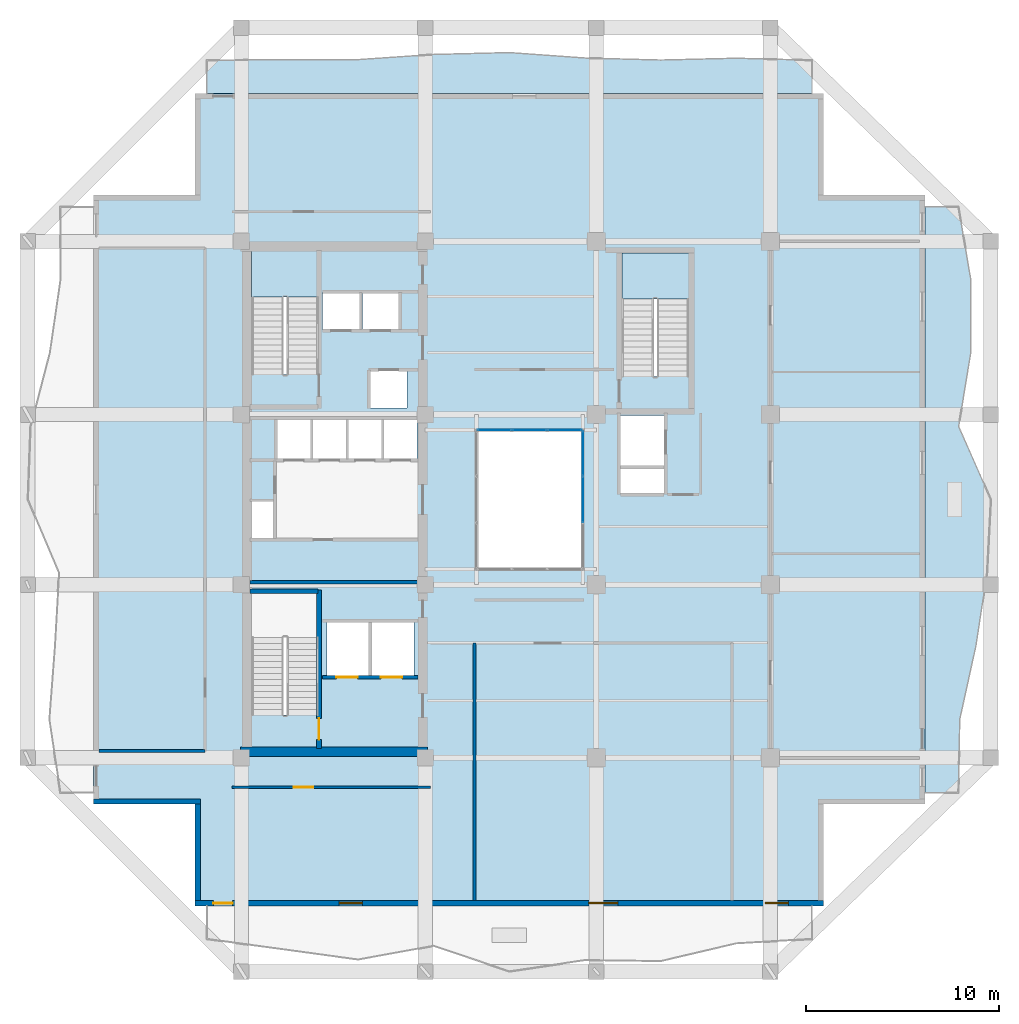
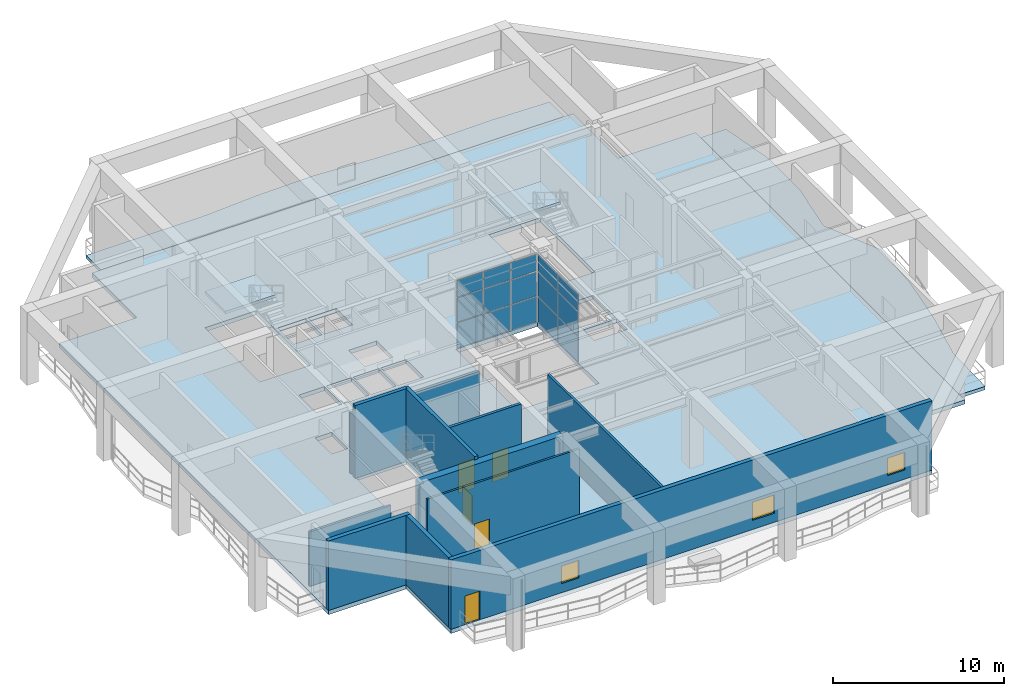
# One storey, part 5 of 13: 15 plates, 11 walls, 5 doors, 5 slabs, 3 windows, 8 openings, 4 elements without a shape of their own.
"""IFC4 building model written with IfcOpenShell, lengths in metres."""

from ifc_helpers import new_model, si_unit, direction, frame, frame_2d, origin, origin_2d, place, context, subcontext, project, spatial, polyline, rectangle, outline, extrude, material, layer, layer_set, type_object, element, fill, aggregate, save


model = new_model("IFC4")

# Units and contexts
model_context = context("Model", 3, precision=1e-05, world=origin(), true_north=direction((0.0, 1.0)))
body_context = subcontext(model_context, "Body", "Model", "MODEL_VIEW")
ifc_project = project(units=[si_unit("LENGTHUNIT", "METRE"), si_unit("AREAUNIT", "SQUARE_METRE"), si_unit("VOLUMEUNIT", "CUBIC_METRE"), si_unit("PLANEANGLEUNIT", "RADIAN"), si_unit("MASSUNIT", "GRAM", prefix="KILO")], contexts=[model_context])

# Site, building, storey
site_placement = place(None, origin())
site = spatial("IfcSite", under=ifc_project, at=site_placement, CompositionType="ELEMENT")
building_placement = place(site_placement, origin())
building = spatial("IfcBuilding", under=site, at=building_placement, Name="Kundavana Baori Tower", CompositionType="ELEMENT")
storey_placement = place(building_placement, frame((0.0, 0.0, 208.89990234375)))
storey = spatial("IfcBuildingStorey", under=building, at=storey_placement, Name="L51", CompositionType="ELEMENT", Elevation=208.89990234375)

# Curtain wall, plates
ifc_material_1 = material(Name="Thermally Broken Anodised Aluminium Framing", Category="aluminium")
ifc_layer_1 = layer(ifc_material_1, 0.219970703125, Name="CW-SYS-5")
ifc_layer_set_1 = layer_set([ifc_layer_1], Name="Thermally Broken Anodised Aluminium Framing")
curtain_wall_type = type_object("IfcCurtainWallType", Name="CW-SYS-5", PredefinedType="NOTDEFINED", material=ifc_layer_set_1)
curtain_wall_1_placement = place(storey_placement, origin())
curtain_wall_1 = element("IfcCurtainWall", 1, at=curtain_wall_1_placement, inside=storey, type_object=curtain_wall_type, Name="L51 Atrium Glazed Curtain Wall E", PredefinedType="NOTDEFINED")
ifc_material_2 = material(Name="Double-Glazed Solar-Control Low-E Insulated Glass", Category="glass")
ifc_layer_2 = layer(ifc_material_2, 0.028076171875, Name="CW-PNL-GLS28")
ifc_layer_set_2 = layer_set([ifc_layer_2], Name="Double-Glazed Solar-Control Low-E Insulated Glass")
plate_type = type_object("IfcPlateType", Name="CW-PNL-GLS28", PredefinedType="CURTAIN_PANEL", material=ifc_layer_set_2)
plate_1_placement = place(storey_placement, frame((33.10009765625, 28.60009765625, 0.06494140625), z_axis=(0.0, 0.0, 1.0), x_axis=(0.0, 1.0, 0.0)))
plate_1 = element("IfcPlate", 2, at=plate_1_placement, type_object=plate_type, Name="CW5 panel 2.1", PredefinedType="CURTAIN_PANEL", context=body_context, shape_type="SweptSolid", body=[
    extrude(rectangle(XDim=2.3349609375, YDim=0.028076171875, at=origin_2d()), origin(), (0.0, 0.0, 1.0), 1.787353515625),
])
plate_2_placement = place(storey_placement, frame((33.10009765625, 28.60009765625, 1.917236328125), z_axis=(0.0, 0.0, 1.0), x_axis=(0.0, 1.0, 0.0)))
plate_2 = element("IfcPlate", 3, at=plate_2_placement, type_object=plate_type, Name="CW5 panel 2.2", PredefinedType="CURTAIN_PANEL", context=body_context, shape_type="SweptSolid", body=[
    extrude(rectangle(XDim=2.3349609375, YDim=0.028076171875, at=origin_2d()), origin(), (0.0, 0.0, 1.0), 1.720703125),
])
plate_3_placement = place(storey_placement, frame((33.10009765625, 28.60009765625, 3.703125), z_axis=(0.0, 0.0, 1.0), x_axis=(0.0, 1.0, 0.0)))
plate_3 = element("IfcPlate", 4, at=plate_3_placement, type_object=plate_type, Name="CW5 panel 2.3", PredefinedType="CURTAIN_PANEL", context=body_context, shape_type="SweptSolid", body=[
    extrude(rectangle(XDim=2.3349609375, YDim=0.028076171875, at=origin_2d()), origin(), (0.0, 0.0, 1.0), 1.192138671875),
])
plate_4_placement = place(storey_placement, frame((33.10009765625, 30.983642578125, 0.06494140625), z_axis=(0.0, 0.0, 1.0), x_axis=(0.0, 1.0, 0.0)))
plate_4 = element("IfcPlate", 5, at=plate_4_placement, type_object=plate_type, Name="CW5 panel 3.1", PredefinedType="CURTAIN_PANEL", context=body_context, shape_type="SweptSolid", body=[
    extrude(rectangle(XDim=2.302490234375, YDim=0.028076171875, at=origin_2d()), origin(), (0.0, 0.0, 1.0), 1.787353515625),
])
plate_5_placement = place(storey_placement, frame((33.10009765625, 30.983642578125, 1.917236328125), z_axis=(0.0, 0.0, 1.0), x_axis=(0.0, 1.0, 0.0)))
plate_5 = element("IfcPlate", 6, at=plate_5_placement, type_object=plate_type, Name="CW5 panel 3.2", PredefinedType="CURTAIN_PANEL", context=body_context, shape_type="SweptSolid", body=[
    extrude(rectangle(XDim=2.302490234375, YDim=0.028076171875, at=origin_2d()), origin(), (0.0, 0.0, 1.0), 1.720703125),
])
plate_6_placement = place(storey_placement, frame((33.10009765625, 30.983642578125, 3.703125), z_axis=(0.0, 0.0, 1.0), x_axis=(0.0, 1.0, 0.0)))
plate_6 = element("IfcPlate", 7, at=plate_6_placement, type_object=plate_type, Name="CW5 panel 3.3", PredefinedType="CURTAIN_PANEL", context=body_context, shape_type="SweptSolid", body=[
    extrude(rectangle(XDim=2.302490234375, YDim=0.028076171875, at=origin_2d()), origin(), (0.0, 0.0, 1.0), 1.192138671875),
])
aggregate(curtain_wall_1, [plate_1, plate_2, plate_3, plate_4, plate_5, plate_6])

curtain_wall_2_placement = place(storey_placement, origin())
curtain_wall_2 = element("IfcCurtainWall", 8, at=curtain_wall_2_placement, inside=storey, type_object=curtain_wall_type, Name="L51 Atrium Glazed Curtain Wall N", PredefinedType="NOTDEFINED")
plate_7_placement = place(storey_placement, frame((32.1669921875, 32.199951171875, 0.06494140625), z_axis=(0.0, 0.0, 1.0), x_axis=(-1.0, 0.0, 0.0)))
plate_7 = element("IfcPlate", 9, at=plate_7_placement, type_object=plate_type, Name="CW5 panel 1.1", PredefinedType="CURTAIN_PANEL", context=body_context, shape_type="SweptSolid", body=[
    extrude(rectangle(XDim=1.73583984375, YDim=0.028076171875, at=origin_2d()), origin(), (0.0, 0.0, 1.0), 1.787353515625),
])
plate_8_placement = place(storey_placement, frame((32.1669921875, 32.199951171875, 1.917236328125), z_axis=(0.0, 0.0, 1.0), x_axis=(-1.0, 0.0, 0.0)))
plate_8 = element("IfcPlate", 10, at=plate_8_placement, type_object=plate_type, Name="CW5 panel 1.2", PredefinedType="CURTAIN_PANEL", context=body_context, shape_type="SweptSolid", body=[
    extrude(rectangle(XDim=1.73583984375, YDim=0.028076171875, at=origin_2d()), origin(), (0.0, 0.0, 1.0), 1.720703125),
])
plate_9_placement = place(storey_placement, frame((32.1669921875, 32.199951171875, 3.703125), z_axis=(0.0, 0.0, 1.0), x_axis=(-1.0, 0.0, 0.0)))
plate_9 = element("IfcPlate", 11, at=plate_9_placement, type_object=plate_type, Name="CW5 panel 1.3", PredefinedType="CURTAIN_PANEL", context=body_context, shape_type="SweptSolid", body=[
    extrude(rectangle(XDim=1.73583984375, YDim=0.028076171875, at=origin_2d()), origin(), (0.0, 0.0, 1.0), 1.192138671875),
])
plate_10_placement = place(storey_placement, frame((30.35009765625, 32.199951171875, 0.06494140625), z_axis=(0.0, 0.0, 1.0), x_axis=(-1.0, 0.0, 0.0)))
plate_10 = element("IfcPlate", 12, at=plate_10_placement, type_object=plate_type, Name="CW5 panel 2.1", PredefinedType="CURTAIN_PANEL", context=body_context, shape_type="SweptSolid", body=[
    extrude(rectangle(XDim=1.768310546875, YDim=0.028076171875, at=origin_2d()), origin(), (0.0, 0.0, 1.0), 1.787353515625),
])
plate_11_placement = place(storey_placement, frame((30.35009765625, 32.199951171875, 1.917236328125), z_axis=(0.0, 0.0, 1.0), x_axis=(-1.0, 0.0, 0.0)))
plate_11 = element("IfcPlate", 13, at=plate_11_placement, type_object=plate_type, Name="CW5 panel 2.2", PredefinedType="CURTAIN_PANEL", context=body_context, shape_type="SweptSolid", body=[
    extrude(rectangle(XDim=1.768310546875, YDim=0.028076171875, at=origin_2d()), origin(), (0.0, 0.0, 1.0), 1.720703125),
])
plate_12_placement = place(storey_placement, frame((30.35009765625, 32.199951171875, 3.703125), z_axis=(0.0, 0.0, 1.0), x_axis=(-1.0, 0.0, 0.0)))
plate_12 = element("IfcPlate", 14, at=plate_12_placement, type_object=plate_type, Name="CW5 panel 2.3", PredefinedType="CURTAIN_PANEL", context=body_context, shape_type="SweptSolid", body=[
    extrude(rectangle(XDim=1.768310546875, YDim=0.028076171875, at=origin_2d()), origin(), (0.0, 0.0, 1.0), 1.192138671875),
])
plate_13_placement = place(storey_placement, frame((28.532958984375, 32.199951171875, 0.06494140625), z_axis=(0.0, 0.0, 1.0), x_axis=(-1.0, 0.0, 0.0)))
plate_13 = element("IfcPlate", 15, at=plate_13_placement, type_object=plate_type, Name="CW5 panel 3.1", PredefinedType="CURTAIN_PANEL", context=body_context, shape_type="SweptSolid", body=[
    extrude(rectangle(XDim=1.73583984375, YDim=0.028076171875, at=origin_2d()), origin(), (0.0, 0.0, 1.0), 1.787353515625),
])
plate_14_placement = place(storey_placement, frame((28.532958984375, 32.199951171875, 1.917236328125), z_axis=(0.0, 0.0, 1.0), x_axis=(-1.0, 0.0, 0.0)))
plate_14 = element("IfcPlate", 16, at=plate_14_placement, type_object=plate_type, Name="CW5 panel 3.2", PredefinedType="CURTAIN_PANEL", context=body_context, shape_type="SweptSolid", body=[
    extrude(rectangle(XDim=1.73583984375, YDim=0.028076171875, at=origin_2d()), origin(), (0.0, 0.0, 1.0), 1.720703125),
])
plate_15_placement = place(storey_placement, frame((28.532958984375, 32.199951171875, 3.703125), z_axis=(0.0, 0.0, 1.0), x_axis=(-1.0, 0.0, 0.0)))
plate_15 = element("IfcPlate", 17, at=plate_15_placement, type_object=plate_type, Name="CW5 panel 3.3", PredefinedType="CURTAIN_PANEL", context=body_context, shape_type="SweptSolid", body=[
    extrude(rectangle(XDim=1.73583984375, YDim=0.028076171875, at=origin_2d()), origin(), (0.0, 0.0, 1.0), 1.192138671875),
])
aggregate(curtain_wall_2, [plate_7, plate_8, plate_9, plate_10, plate_11, plate_12, plate_13, plate_14, plate_15])

# Slab
ifc_material_3 = material(Name="Concrete C40/50", Category="concrete")
ifc_layer_3 = layer(ifc_material_3, 0.300048828125, Name="SLB-FLR-300")
ifc_layer_set_3 = layer_set([ifc_layer_3], Name="Concrete C40/50")
slab_type_1 = type_object("IfcSlabType", Name="SLB-FLR-300", PredefinedType="FLOOR", material=ifc_layer_set_3)
slab_1_placement = place(storey_placement, frame((0.0, 0.0, -0.2998046875)))
element("IfcSlab", 18, at=slab_1_placement, inside=storey, type_object=slab_type_1, Name="L51 Structural Floor Slab", PredefinedType="FLOOR", context=body_context, shape_type="SweptSolid", body=[
    extrude(outline(polyline([(13.050048828125, 7.60009765625), (45.550048828125, 7.60009765625), (45.550048828125, 12.85009765625), (50.800048828125, 12.85009765625), (50.800048828125, 44.35009765625), (45.550048828125, 44.35009765625), (45.550048828125, 49.60009765625), (13.050048828125, 49.60009765625), (13.050048828125, 44.35009765625), (7.800048828125, 44.35009765625), (7.800048828125, 12.85009765625), (13.050048828125, 12.85009765625), (13.050048828125, 7.60009765625)]), holes=[polyline([(19.43994140625, 17.4619140625), (19.43994140625, 23.85009765625), (15.97998046875, 23.85009765625), (15.97998046875, 17.4619140625), (19.43994140625, 17.4619140625)]), polyline([(19.43994140625, 35.06201171875), (19.43994140625, 41.449951171875), (15.97998046875, 41.449951171875), (15.97998046875, 35.06201171875), (19.43994140625, 35.06201171875)]), polyline([(38.580078125, 34.9619140625), (38.580078125, 41.35009765625), (35.1201171875, 41.35009765625), (35.1201171875, 34.9619140625), (38.580078125, 34.9619140625)]), polyline([(17.300048828125, 30.699951171875), (19.02001953125, 30.699951171875), (19.02001953125, 32.75), (17.300048828125, 32.75), (17.300048828125, 30.699951171875)]), polyline([(19.139892578125, 30.699951171875), (20.860107421875, 30.699951171875), (20.860107421875, 32.75), (19.139892578125, 32.75), (19.139892578125, 30.699951171875)]), polyline([(20.97998046875, 30.699951171875), (22.699951171875, 30.699951171875), (22.699951171875, 32.75), (20.97998046875, 32.75), (20.97998046875, 30.699951171875)]), polyline([(22.820068359375, 30.699951171875), (24.5400390625, 30.699951171875), (24.5400390625, 32.75), (22.820068359375, 32.75), (22.820068359375, 30.699951171875)]), polyline([(19.64990234375, 37.39990234375), (21.550048828125, 37.39990234375), (21.550048828125, 39.300048828125), (19.64990234375, 39.300048828125), (19.64990234375, 37.39990234375)]), polyline([(21.699951171875, 37.39990234375), (23.60009765625, 37.39990234375), (23.60009765625, 39.300048828125), (21.699951171875, 39.300048828125), (21.699951171875, 37.39990234375)]), polyline([(22.10009765625, 33.35009765625), (24.0, 33.35009765625), (24.0, 35.25), (22.10009765625, 35.25), (22.10009765625, 33.35009765625)]), polyline([(19.8798828125, 19.5), (22.02001953125, 19.5), (22.02001953125, 22.25), (19.8798828125, 22.25), (19.8798828125, 19.5)]), polyline([(22.179931640625, 19.5), (24.3798828125, 19.5), (24.3798828125, 22.25), (22.179931640625, 22.25), (22.179931640625, 19.5)]), polyline([(35.050048828125, 30.35009765625), (37.300048828125, 30.35009765625), (37.300048828125, 32.949951171875), (35.050048828125, 32.949951171875), (35.050048828125, 30.35009765625)]), polyline([(15.949951171875, 26.60009765625), (17.080078125, 26.60009765625), (17.080078125, 28.5), (15.949951171875, 28.5), (15.949951171875, 26.60009765625)]), polyline([(35.050048828125, 28.949951171875), (37.300048828125, 28.949951171875), (37.300048828125, 30.199951171875), (35.050048828125, 30.199951171875), (35.050048828125, 28.949951171875)]), polyline([(27.60009765625, 25.0), (33.10009765625, 25.0), (33.10009765625, 32.199951171875), (27.60009765625, 32.199951171875), (27.60009765625, 25.0)])]), origin(), (0.0, 0.0, 1.0), 0.2998046875),
])

# Stair, slab
ifc_material_4 = material(Name="Concrete C40/50", Category="concrete")
stair_type = type_object("IfcStairType", Name="STR-DOG-1650", PredefinedType="HALF_TURN_STAIR", material=ifc_material_4)
stair_1_placement = place(storey_placement, origin())
stair_1 = element("IfcStair", 19, at=stair_1_placement, inside=storey, type_object=stair_type, Name="L51 Protected Exit Stair ST2", PredefinedType="HALF_TURN_STAIR")
ifc_material_5 = material(Name="Concrete C40/50", Category="concrete")
ifc_layer_4 = layer(ifc_material_5, 0.199951171875, Name="SLB-LND-200")
ifc_layer_set_4 = layer_set([ifc_layer_4], Name="Concrete C40/50")
slab_type_2 = type_object("IfcSlabType", Name="SLB-LND-200", PredefinedType="LANDING", material=ifc_layer_set_4)
slab_2_placement = place(storey_placement, frame((0.0, 0.0, 2.400146484375)))
slab_2 = element("IfcSlab", 20, at=slab_2_placement, type_object=slab_type_2, Name="ST2 landing 1", PredefinedType="LANDING", context=body_context, shape_type="SweptSolid", body=[
    extrude(outline(polyline([(19.43994140625, 39.080078125), (19.43994140625, 41.449951171875), (15.97998046875, 41.449951171875), (15.97998046875, 39.080078125), (19.43994140625, 39.080078125)])), origin(), (0.0, 0.0, 1.0), 0.199951171875),
])
aggregate(stair_1, [slab_2])

stair_2_placement = place(storey_placement, origin())
stair_2 = element("IfcStair", 21, at=stair_2_placement, inside=storey, type_object=stair_type, Name="L51 Protected Exit Stair ST3", PredefinedType="HALF_TURN_STAIR")
slab_3_placement = place(storey_placement, frame((0.0, 0.0, 2.400146484375)))
slab_3 = element("IfcSlab", 22, at=slab_3_placement, type_object=slab_type_2, Name="ST3 landing 1", PredefinedType="LANDING", context=body_context, shape_type="SweptSolid", body=[
    extrude(outline(polyline([(38.580078125, 38.97998046875), (38.580078125, 41.35009765625), (35.1201171875, 41.35009765625), (35.1201171875, 38.97998046875), (38.580078125, 38.97998046875)])), origin(), (0.0, 0.0, 1.0), 0.199951171875),
])
aggregate(stair_2, [slab_3])

# Slabs
ifc_material_6 = material(Name="Concrete C40/50", Category="concrete")
ifc_layer_5 = layer(ifc_material_6, 0.239990234375, Name="SLB-LOG-240")
ifc_layer_set_5 = layer_set([ifc_layer_5], Name="Concrete C40/50")
slab_type_3 = type_object("IfcSlabType", Name="SLB-LOG-240", PredefinedType="FLOOR", material=ifc_layer_set_5)
slab_4_placement = place(storey_placement, frame((0.0, 0.0, -0.239990234375)))
element("IfcSlab", 23, at=slab_4_placement, inside=storey, type_object=slab_type_3, Name="L51 Planted Loggia Balcony Slab E", PredefinedType="FLOOR", context=body_context, shape_type="SweptSolid", body=[
    extrude(outline(polyline([(50.800048828125, 13.449951171875), (50.800048828125, 43.75), (52.52001953125, 43.75), (53.162109375, 39.9619140625), (53.154052734375, 36.175048828125), (52.532958984375, 32.387939453125), (54.199951171875, 28.60009765625), (54.0029296875, 24.81201171875), (53.422119140625, 21.02490234375), (52.589111328125, 17.238037109375), (52.52001953125, 13.449951171875), (50.800048828125, 13.449951171875)])), origin(), (0.0, 0.0, 1.0), 0.239990234375),
])
slab_5_placement = place(storey_placement, frame((0.0, 0.0, -0.239990234375)))
element("IfcSlab", 24, at=slab_5_placement, inside=storey, type_object=slab_type_3, Name="L51 Planted Loggia Balcony Slab N", PredefinedType="FLOOR", context=body_context, shape_type="SweptSolid", body=[
    extrude(outline(polyline([(44.949951171875, 49.60009765625), (13.64990234375, 49.60009765625), (13.64990234375, 51.320068359375), (17.56201171875, 51.347900390625), (21.47509765625, 51.35009765625), (25.387939453125, 51.618896484375), (29.300048828125, 51.714111328125), (33.212890625, 51.43408203125), (37.125, 51.3291015625), (41.0380859375, 51.423095703125), (44.949951171875, 51.320068359375), (44.949951171875, 49.60009765625)])), origin(), (0.0, 0.0, 1.0), 0.239990234375),
])

# Wall, opening, door
ifc_material_7 = material(Name="Concrete C50/60", Category="concrete")
ifc_layer_6 = layer(ifc_material_7, 0.39990234375, Name="WL-CORE-400")
ifc_layer_set_6 = layer_set([ifc_layer_6], Name="Concrete C50/60")
wall_type_1 = type_object("IfcWallType", Name="WL-CORE-400", PredefinedType="SHEAR", material=ifc_layer_set_6)
wall_1_placement = place(storey_placement, frame((19.4599609375, 15.739990234375, 0.0), z_axis=(0.0, 0.0, 1.0), x_axis=(0.0, 1.0, 0.0)))
wall_1 = element("IfcWall", 25, at=wall_1_placement, inside=storey, type_object=wall_type_1, Name="WL-L51-ST1-E", PredefinedType="SHEAR", context=body_context, shape_type="SweptSolid", body=[
    extrude(rectangle(XDim=8.199951171875, YDim=0.239990234375, at=frame_2d((4.10009765625, 0.0))), origin(), (0.0, 0.0, 1.0), 5.2001953125),
])
opening_1_placement = place(wall_1_placement, frame((0.449951171875, 0.0, 0.0)))
opening_1 = element("IfcOpeningElement", 26, at=opening_1_placement, cuts=wall_1, Name="Opening FD-110", PredefinedType="OPENING", context=body_context, shape_type="SweptSolid", body=[
    extrude(rectangle(XDim=1.10009765625, YDim=2.10009765625, at=frame_2d((0.550048828125, 1.050048828125))), frame((0.0, 0.1298828125, 0.0), z_axis=(0.0, -1.0, 0.0), x_axis=(1.0, 0.0, 0.0)), (0.0, 0.0, 1.0), 0.260009765625),
])
ifc_material_8 = material(Name="Galvanised Steel Fire-Rated Door Leaf", Category="steel")
door_type_1 = type_object("IfcDoorType", Name="DR-FD120-1100", OperationType="NOTDEFINED", PredefinedType="DOOR", material=ifc_material_8)
door_1_placement = place(opening_1_placement, origin())
door_1 = element("IfcDoor", 27, at=door_1_placement, inside=storey, type_object=door_type_1, Name="DR-L51-ST1", OperationType="SINGLE_SWING_LEFT", OverallHeight=2.10009765625, OverallWidth=1.10009765625, PredefinedType="DOOR", context=body_context, shape_type="SweptSolid", body=[
    extrude(rectangle(XDim=1.10009765625, YDim=2.10009765625, at=frame_2d((0.550048828125, 1.050048828125))), frame((0.0, 0.02490234375, 0.0), z_axis=(0.0, -1.0, 0.0), x_axis=(1.0, 0.0, 0.0)), (0.0, 0.0, 1.0), 0.050048828125),
])
fill(opening_1, door_1)

# Walls
wall_2_placement = place(storey_placement, frame((15.89990234375, 23.860107421875, 0.0), z_axis=(0.0, 0.0, 1.0), x_axis=(1.0, 0.0, 0.0)))
element("IfcWall", 28, at=wall_2_placement, inside=storey, type_object=wall_type_1, Name="WL-L51-ST1-N", PredefinedType="SHEAR", context=body_context, shape_type="SweptSolid", body=[
    extrude(rectangle(XDim=3.52001953125, YDim=0.239990234375, at=frame_2d((1.760009765625, 0.0))), origin(), (0.0, 0.0, 1.0), 5.2001953125),
])
ifc_material_9 = material(Name="Concrete C50/60", Category="concrete")
ifc_layer_7 = layer(ifc_material_9, 0.5, Name="WL-CORE-500")
ifc_layer_set_7 = layer_set([ifc_layer_7], Name="Concrete C50/60")
wall_type_2 = type_object("IfcWallType", Name="WL-CORE-500", PredefinedType="SHEAR", material=ifc_layer_set_7)
wall_3_placement = place(storey_placement, frame((15.39990234375, 15.56005859375, 0.0), z_axis=(0.0, 0.0, 1.0), x_axis=(1.0, 0.0, 0.0)))
element("IfcWall", 29, at=wall_3_placement, inside=storey, type_object=wall_type_2, Name="L51 Offset Core South Shear Wall", PredefinedType="SHEAR", context=body_context, shape_type="SweptSolid", body=[
    extrude(rectangle(XDim=9.68017578125, YDim=0.5, at=frame_2d((4.840087890625, 0.0))), origin(), (0.0, 0.0, 1.0), 4.960205078125),
])

# Wall, openings, door, windows
ifc_material_10 = material(Name="Red-Buff Dholpur Sandstone Cladding on Concrete C40/50", Category="masonry")
ifc_layer_8 = layer(ifc_material_10, 0.280029296875, Name="WL-EXT-SAND-280")
ifc_layer_set_8 = layer_set([ifc_layer_8], Name="Red-Buff Dholpur Sandstone Cladding on Concrete C40/50")
wall_type_3 = type_object("IfcWallType", Name="WL-EXT-SAND-280", PredefinedType="STANDARD", material=ifc_layer_set_8)
wall_4_placement = place(storey_placement, frame((13.050048828125, 7.739990234375, 0.0), z_axis=(0.0, 0.0, 1.0), x_axis=(1.0, 0.0, 0.0)))
wall_4 = element("IfcWall", 30, at=wall_4_placement, inside=storey, type_object=wall_type_3, Name="L51 Exterior Insulated Facade Wall 01", PredefinedType="STANDARD", context=body_context, shape_type="SweptSolid", body=[
    extrude(rectangle(XDim=32.5, YDim=0.280029296875, at=frame_2d((16.25, 0.0))), origin(), (0.0, 0.0, 1.0), 4.960205078125),
])
opening_2_placement = place(wall_4_placement, frame((0.949951171875, 0.0, 0.0)))
opening_2 = element("IfcOpeningElement", 31, at=opening_2_placement, cuts=wall_4, Name="Opening BD-1", PredefinedType="OPENING", context=body_context, shape_type="SweptSolid", body=[
    extrude(rectangle(XDim=1.0, YDim=2.050048828125, at=frame_2d((0.5, 1.02490234375))), frame((0.0, 0.14990234375, 0.0), z_axis=(0.0, -1.0, 0.0), x_axis=(1.0, 0.0, 0.0)), (0.0, 0.0, 1.0), 0.300048828125),
])
opening_3_placement = place(wall_4_placement, frame((7.455078125, 0.0, 0.64990234375)))
opening_3 = element("IfcOpeningElement", 32, at=opening_3_placement, cuts=wall_4, Name="Opening W-12", PredefinedType="OPENING", context=body_context, shape_type="SweptSolid", body=[
    extrude(rectangle(XDim=1.199951171875, YDim=1.25, at=frame_2d((0.60009765625, 0.625))), frame((0.0, 0.14990234375, 0.0), z_axis=(0.0, -1.0, 0.0), x_axis=(1.0, 0.0, 0.0)), (0.0, 0.0, 1.0), 0.300048828125),
])
opening_4_placement = place(wall_4_placement, frame((20.360107421875, 0.0, 0.64990234375)))
opening_4 = element("IfcOpeningElement", 33, at=opening_4_placement, cuts=wall_4, Name="Opening W-11", PredefinedType="OPENING", context=body_context, shape_type="SweptSolid", body=[
    extrude(rectangle(XDim=1.5, YDim=1.300048828125, at=frame_2d((0.75, 0.64990234375))), frame((0.0, 0.14990234375, 0.0), z_axis=(0.0, -1.0, 0.0), x_axis=(1.0, 0.0, 0.0)), (0.0, 0.0, 1.0), 0.300048828125),
])
opening_5_placement = place(wall_4_placement, frame((29.47998046875, 0.0, 0.64990234375)))
opening_5 = element("IfcOpeningElement", 34, at=opening_5_placement, cuts=wall_4, Name="Opening W-12", PredefinedType="OPENING", context=body_context, shape_type="SweptSolid", body=[
    extrude(rectangle(XDim=1.199951171875, YDim=1.25, at=frame_2d((0.60009765625, 0.625))), frame((0.0, 0.14990234375, 0.0), z_axis=(0.0, -1.0, 0.0), x_axis=(1.0, 0.0, 0.0)), (0.0, 0.0, 1.0), 0.300048828125),
])
ifc_material_11 = material(Name="Architectural Patinated Bronze Metalwork")
door_type_2 = type_object("IfcDoorType", Name="DR-EXT-LOG-1000", OperationType="NOTDEFINED", PredefinedType="DOOR", material=ifc_material_11)
door_2_placement = place(opening_2_placement, frame((1.0, 0.0, 0.0), z_axis=(0.0, 0.0, 1.0), x_axis=(-1.0, 0.0, 0.0)))
door_2 = element("IfcDoor", 35, at=door_2_placement, inside=storey, type_object=door_type_2, Name="L51 Loggia Balcony Access Door S", OperationType="SINGLE_SWING_LEFT", OverallHeight=2.050048828125, OverallWidth=1.0, PredefinedType="DOOR", context=body_context, shape_type="SweptSolid", body=[
    extrude(rectangle(XDim=1.0, YDim=2.050048828125, at=frame_2d((0.5, 1.02490234375))), frame((0.0, 0.02490234375, 0.0), z_axis=(0.0, -1.0, 0.0), x_axis=(1.0, 0.0, 0.0)), (0.0, 0.0, 1.0), 0.050048828125),
])
fill(opening_2, door_2)
ifc_material_12 = material(Name="Double-Glazed Solar-Control Low-E Insulated Glass", Category="glass")
window_type_1 = type_object("IfcWindowType", Name="WIN-TRN-1200x1250", PartitioningType="SINGLE_PANEL", PredefinedType="WINDOW", material=ifc_material_12)
window_1_placement = place(opening_3_placement, origin())
window_1 = element("IfcWindow", 36, at=window_1_placement, inside=storey, type_object=window_type_1, Name="L51 Recessed Loggia Window S-1", OverallHeight=1.25, OverallWidth=1.199951171875, PartitioningType="SINGLE_PANEL", PredefinedType="WINDOW", context=body_context, shape_type="SweptSolid", body=[
    extrude(rectangle(XDim=1.199951171875, YDim=1.25, at=frame_2d((0.60009765625, 0.625))), frame((0.0, 0.030029296875, 0.0), z_axis=(0.0, -1.0, 0.0), x_axis=(1.0, 0.0, 0.0)), (0.0, 0.0, 1.0), 0.06005859375),
])
fill(opening_3, window_1)
window_2_placement = place(opening_5_placement, origin())
window_2 = element("IfcWindow", 37, at=window_2_placement, inside=storey, type_object=window_type_1, Name="L51 Recessed Loggia Window S-3", OverallHeight=1.25, OverallWidth=1.199951171875, PartitioningType="SINGLE_PANEL", PredefinedType="WINDOW", context=body_context, shape_type="SweptSolid", body=[
    extrude(rectangle(XDim=1.199951171875, YDim=1.25, at=frame_2d((0.60009765625, 0.625))), frame((0.0, 0.030029296875, 0.0), z_axis=(0.0, -1.0, 0.0), x_axis=(1.0, 0.0, 0.0)), (0.0, 0.0, 1.0), 0.06005859375),
])
fill(opening_5, window_2)
ifc_material_13 = material(Name="Double-Glazed Solar-Control Low-E Insulated Glass", Category="glass")
window_type_2 = type_object("IfcWindowType", Name="WIN-TRN-1500x1300", PartitioningType="SINGLE_PANEL", PredefinedType="WINDOW", material=ifc_material_13)
window_3_placement = place(opening_4_placement, origin())
window_3 = element("IfcWindow", 38, at=window_3_placement, inside=storey, type_object=window_type_2, Name="L51 Recessed Loggia Window S-2", OverallHeight=1.300048828125, OverallWidth=1.5, PartitioningType="SINGLE_PANEL", PredefinedType="WINDOW", context=body_context, shape_type="SweptSolid", body=[
    extrude(rectangle(XDim=1.5, YDim=1.300048828125, at=frame_2d((0.75, 0.64990234375))), frame((0.0, 0.030029296875, 0.0), z_axis=(0.0, -1.0, 0.0), x_axis=(1.0, 0.0, 0.0)), (0.0, 0.0, 1.0), 0.06005859375),
])
fill(opening_4, window_3)

# Walls
wall_5_placement = place(storey_placement, frame((7.800048828125, 12.989990234375, 0.0), z_axis=(0.0, 0.0, 1.0), x_axis=(1.0, 0.0, 0.0)))
element("IfcWall", 39, at=wall_5_placement, inside=storey, type_object=wall_type_3, Name="L51 Exterior Insulated Facade Wall 11", PredefinedType="STANDARD", context=body_context, shape_type="SweptSolid", body=[
    extrude(rectangle(XDim=5.530029296875, YDim=0.280029296875, at=frame_2d((2.76513671875, 0.0))), origin(), (0.0, 0.0, 1.0), 4.960205078125),
])
wall_6_placement = place(storey_placement, frame((13.18994140625, 12.85009765625, 0.0), z_axis=(0.0, 0.0, 1.0), x_axis=(0.0, -1.0, 0.0)))
element("IfcWall", 40, at=wall_6_placement, inside=storey, type_object=wall_type_3, Name="L51 Exterior Insulated Facade Wall 12", PredefinedType="STANDARD", context=body_context, shape_type="SweptSolid", body=[
    extrude(rectangle(XDim=4.97021484375, YDim=0.280029296875, at=frame_2d((2.485107421875, 0.0))), origin(), (0.0, 0.0, 1.0), 4.960205078125),
])

# Wall, opening, door
ifc_material_14 = material(Name="Acoustic Gypsum Plasterboard on Galvanised Steel Studs", Category="steel")
ifc_layer_9 = layer(ifc_material_14, 0.135009765625, Name="WL-PART-135")
ifc_layer_set_9 = layer_set([ifc_layer_9], Name="Acoustic Gypsum Plasterboard on Galvanised Steel Studs")
wall_type_4 = type_object("IfcWallType", Name="WL-PART-135", PredefinedType="PARTITIONING", material=ifc_layer_set_9)
wall_7_placement = place(storey_placement, frame((14.949951171875, 13.719970703125, 0.0), z_axis=(0.0, 0.0, 1.0), x_axis=(1.0, 0.0, 0.0)))
wall_7 = element("IfcWall", 41, at=wall_7_placement, inside=storey, type_object=wall_type_4, Name="WL-L51-SC", PredefinedType="PARTITIONING", context=body_context, shape_type="SweptSolid", body=[
    extrude(rectangle(XDim=10.27001953125, YDim=0.135009765625, at=frame_2d((5.135009765625, 0.0))), origin(), (0.0, 0.0, 1.0), 4.960205078125),
])
opening_6_placement = place(wall_7_placement, frame((3.199951171875, 0.0, 0.0)))
opening_6 = element("IfcOpeningElement", 42, at=opening_6_placement, cuts=wall_7, Name="Opening ID-100", PredefinedType="OPENING", context=body_context, shape_type="SweptSolid", body=[
    extrude(rectangle(XDim=1.0, YDim=2.080078125, at=frame_2d((0.5, 1.0400390625))), frame((0.0, 0.07763671875, 0.0), z_axis=(0.0, -1.0, 0.0), x_axis=(1.0, 0.0, 0.0)), (0.0, 0.0, 1.0), 0.155029296875),
])
ifc_material_15 = material(Name="Engineered Teak Solid-Core Timber Veneer", Category="wood")
door_type_3 = type_object("IfcDoorType", Name="DR-INT-1000", OperationType="NOTDEFINED", PredefinedType="DOOR", material=ifc_material_15)
door_3_placement = place(opening_6_placement, frame((1.0, 0.0, 0.0), z_axis=(0.0, 0.0, 1.0), x_axis=(-1.0, 0.0, 0.0)))
door_3 = element("IfcDoor", 43, at=door_3_placement, inside=storey, type_object=door_type_3, Name="DR-L51-OBSW", OperationType="SINGLE_SWING_LEFT", OverallHeight=2.080078125, OverallWidth=1.0, PredefinedType="DOOR", context=body_context, shape_type="SweptSolid", body=[
    extrude(rectangle(XDim=1.0, YDim=2.080078125, at=frame_2d((0.5, 1.0400390625))), frame((0.0, 0.02490234375, 0.0), z_axis=(0.0, -1.0, 0.0), x_axis=(1.0, 0.0, 0.0)), (0.0, 0.0, 1.0), 0.050048828125),
])
fill(opening_6, door_3)

# Walls
ifc_material_16 = material(Name="Fire-Rated Gypsum Drywall on Galvanised Steel Studs", Category="steel")
ifc_layer_10 = layer(ifc_material_16, 0.14990234375, Name="WL-PART-150")
ifc_layer_set_10 = layer_set([ifc_layer_10], Name="Fire-Rated Gypsum Drywall on Galvanised Steel Studs")
wall_type_5 = type_object("IfcWallType", Name="WL-PART-150", PredefinedType="PARTITIONING", material=ifc_layer_set_10)
wall_8_placement = place(storey_placement, frame((8.080078125, 15.60009765625, 0.0), z_axis=(0.0, 0.0, 1.0), x_axis=(1.0, 0.0, 0.0)))
element("IfcWall", 44, at=wall_8_placement, inside=storey, type_object=wall_type_5, Name="WL-L51-SLWS", PredefinedType="PARTITIONING", context=body_context, shape_type="SweptSolid", body=[
    extrude(rectangle(XDim=5.489990234375, YDim=0.14990234375, at=frame_2d((2.7451171875, 0.0))), origin(), (0.0, 0.0, 1.0), 3.880126953125),
])
wall_9_placement = place(storey_placement, frame((27.5, 7.8798828125, 0.0), z_axis=(0.0, 0.0, 1.0), x_axis=(0.0, 1.0, 0.0)))
element("IfcWall", 45, at=wall_9_placement, inside=storey, type_object=wall_type_5, Name="WL-L51-SLSW", PredefinedType="PARTITIONING", context=body_context, shape_type="SweptSolid", body=[
    extrude(rectangle(XDim=13.300048828125, YDim=0.14990234375, at=frame_2d((6.64990234375, 0.0))), origin(), (0.0, 0.0, 1.0), 4.960205078125),
])

# Wall, openings, doors
ifc_material_17 = material(Name="Autoclaved Aerated Concrete Blockwork Masonry", Category="masonry")
ifc_layer_11 = layer(ifc_material_17, 0.179931640625, Name="WL-SHAFT-180")
ifc_layer_set_11 = layer_set([ifc_layer_11], Name="Autoclaved Aerated Concrete Blockwork Masonry")
wall_type_6 = type_object("IfcWallType", Name="WL-SHAFT-180", PredefinedType="SOLIDWALL", material=ifc_layer_set_11)
wall_10_placement = place(storey_placement, frame((19.639892578125, 19.419921875, 0.0), z_axis=(0.0, 0.0, 1.0), x_axis=(1.0, 0.0, 0.0)))
wall_10 = element("IfcWall", 46, at=wall_10_placement, inside=storey, type_object=wall_type_6, Name="WL-L51-FFL-S", PredefinedType="SOLIDWALL", context=body_context, shape_type="SweptSolid", body=[
    extrude(rectangle(XDim=4.940185546875, YDim=0.179931640625, at=frame_2d((2.47021484375, 0.0))), origin(), (0.0, 0.0, 1.0), 4.960205078125),
])
opening_7_placement = place(wall_10_placement, frame((0.719970703125, 0.0, 0.0)))
opening_7 = element("IfcOpeningElement", 47, at=opening_7_placement, cuts=wall_10, Name="Opening LD-110", PredefinedType="OPENING", context=body_context, shape_type="SweptSolid", body=[
    extrude(rectangle(XDim=1.10009765625, YDim=2.10009765625, at=frame_2d((0.550048828125, 1.050048828125))), frame((0.0, 0.10009765625, 0.0), z_axis=(0.0, -1.0, 0.0), x_axis=(1.0, 0.0, 0.0)), (0.0, 0.0, 1.0), 0.199951171875),
])
opening_8_placement = place(wall_10_placement, frame((3.02001953125, 0.0, 0.0)))
opening_8 = element("IfcOpeningElement", 48, at=opening_8_placement, cuts=wall_10, Name="Opening LD-110", PredefinedType="OPENING", context=body_context, shape_type="SweptSolid", body=[
    extrude(rectangle(XDim=1.10009765625, YDim=2.10009765625, at=frame_2d((0.550048828125, 1.050048828125))), frame((0.0, 0.10009765625, 0.0), z_axis=(0.0, -1.0, 0.0), x_axis=(1.0, 0.0, 0.0)), (0.0, 0.0, 1.0), 0.199951171875),
])
ifc_material_18 = material(Name="Galvanised Steel Fire-Rated Door Leaf", Category="steel")
door_type_4 = type_object("IfcDoorType", Name="DR-SLIDE-LD1100", OperationType="NOTDEFINED", PredefinedType="DOOR", material=ifc_material_18)
door_4_placement = place(opening_7_placement, origin())
door_4 = element("IfcDoor", 49, at=door_4_placement, inside=storey, type_object=door_type_4, Name="DR-L51-LD-FFL-1", OperationType="DOUBLE_DOOR_SLIDING", OverallHeight=2.10009765625, OverallWidth=1.10009765625, PredefinedType="DOOR", context=body_context, shape_type="SweptSolid", body=[
    extrude(rectangle(XDim=1.10009765625, YDim=2.10009765625, at=frame_2d((0.550048828125, 1.050048828125))), frame((0.0, 0.02490234375, 0.0), z_axis=(0.0, -1.0, 0.0), x_axis=(1.0, 0.0, 0.0)), (0.0, 0.0, 1.0), 0.050048828125),
])
fill(opening_7, door_4)
door_5_placement = place(opening_8_placement, origin())
door_5 = element("IfcDoor", 50, at=door_5_placement, inside=storey, type_object=door_type_4, Name="DR-L51-LD-FFL-2", OperationType="DOUBLE_DOOR_SLIDING", OverallHeight=2.10009765625, OverallWidth=1.10009765625, PredefinedType="DOOR", context=body_context, shape_type="SweptSolid", body=[
    extrude(rectangle(XDim=1.10009765625, YDim=2.10009765625, at=frame_2d((0.550048828125, 1.050048828125))), frame((0.0, 0.02490234375, 0.0), z_axis=(0.0, -1.0, 0.0), x_axis=(1.0, 0.0, 0.0)), (0.0, 0.0, 1.0), 0.050048828125),
])
fill(opening_8, door_5)

# Wall
wall_11_placement = place(storey_placement, frame((15.89990234375, 24.330078125, 0.0), z_axis=(0.0, 0.0, 1.0), x_axis=(1.0, 0.0, 0.0)))
element("IfcWall", 51, at=wall_11_placement, inside=storey, type_object=wall_type_6, Name="WL-L51-LPLOW-S", PredefinedType="SOLIDWALL", context=body_context, shape_type="SweptSolid", body=[
    extrude(rectangle(XDim=8.68017578125, YDim=0.179931640625, at=frame_2d((4.340087890625, 0.0))), origin(), (0.0, 0.0, 1.0), 4.31005859375),
])

save(model, "model.ifc")
